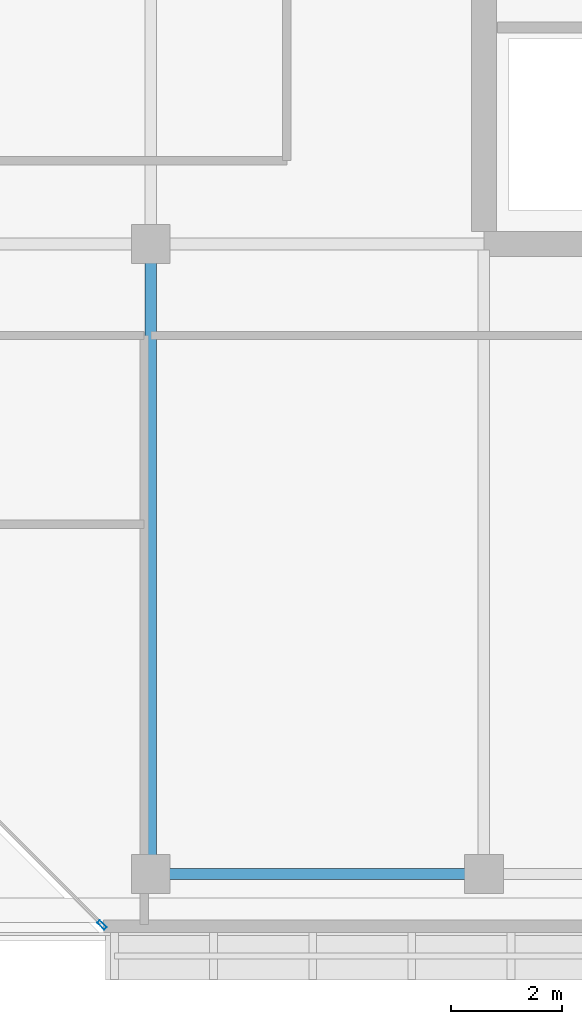
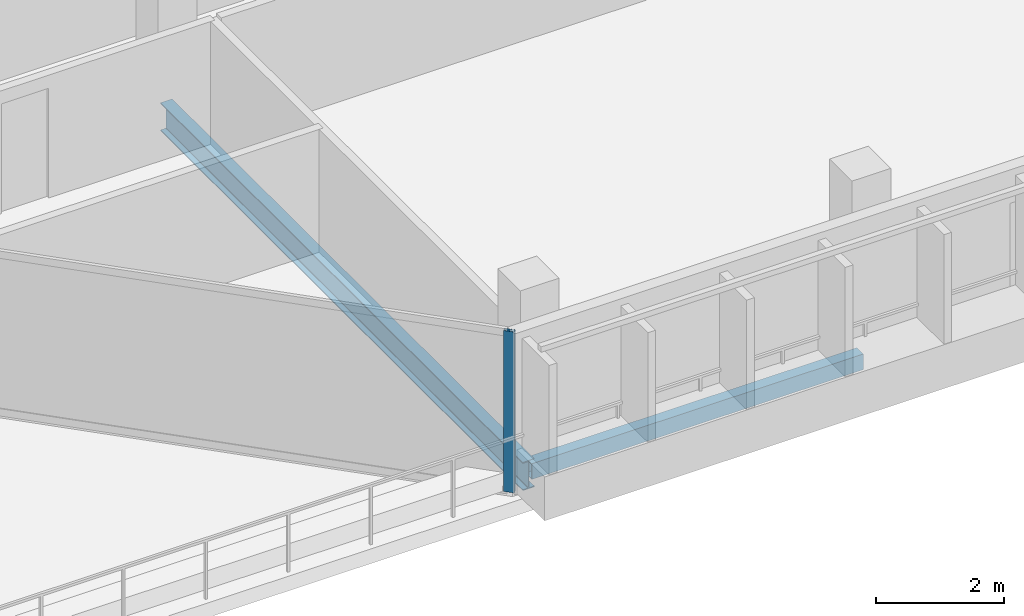
# One storey, part 10 of 30: 2 beams, 1 member, 1 element without a shape of its own.
"""IFC4 building model written with IfcOpenShell, lengths in metres."""

from ifc_helpers import new_model, si_unit, direction, frame, origin, origin_2d, place, context, subcontext, project, spatial, hollow_rectangle, i_section, extrude, material, layer, layer_set, material_profile, profile_set, type_object, element, aggregate, save


model = new_model("IFC4")

# Units and contexts
model_context = context("Model", 3, precision=1e-05, world=origin(), true_north=direction((0.0, 1.0)))
body_context = subcontext(model_context, "Body", "Model", "MODEL_VIEW")
ifc_project = project(units=[si_unit("LENGTHUNIT", "METRE"), si_unit("AREAUNIT", "SQUARE_METRE"), si_unit("VOLUMEUNIT", "CUBIC_METRE"), si_unit("PLANEANGLEUNIT", "RADIAN"), si_unit("MASSUNIT", "GRAM", prefix="KILO")], contexts=[model_context])

# Site, building, storey
site_placement = place(None, origin())
site = spatial("IfcSite", under=ifc_project, at=site_placement, CompositionType="ELEMENT")
building_placement = place(site_placement, origin())
building = spatial("IfcBuilding", under=site, at=building_placement, Name="Tanjung Sevakor Pilgrim Tower", CompositionType="ELEMENT")
storey_placement = place(building_placement, frame((0.0, 0.0, 229.35009765625)))
storey = spatial("IfcBuildingStorey", under=building, at=storey_placement, Name="L64", CompositionType="ELEMENT", Elevation=229.35009765625)

# Beams
ifc_material_1 = material(Name="Steel S355J2", Category="steel")
ifc_material_profile_1 = material_profile(ifc_material_1, i_section(OverallWidth=0.210693359375, OverallDepth=0.53955078125, WebThickness=0.01171875, FlangeThickness=0.018798828125, FilletRadius=0.0126953125, at=origin_2d()))
ifc_profile_set_1 = profile_set([ifc_material_profile_1], Name="Steel S355J2")
beam_type_1 = type_object("IfcBeamType", Name="BM-B-G6-UB_533x210x109", PredefinedType="BEAM", material=ifc_profile_set_1)
beam_1_placement = place(storey_placement, frame((72.0, 13.25, -0.5498046875), z_axis=(0.0, 1.0, 0.0), x_axis=(-1.0, 0.0, 0.0)))
element("IfcBeam", 1, at=beam_1_placement, inside=storey, type_object=beam_type_1, Name="L64 EAST Girder 002", PredefinedType="BEAM", context=body_context, shape_type="SweptSolid", body=[
    extrude(i_section(OverallWidth=0.210693359375, OverallDepth=0.53955078125, WebThickness=0.01171875, FlangeThickness=0.018798828125, FilletRadius=0.0126953125, at=origin_2d()), origin(), (0.0, 0.0, 1.0), 11.35009765625),
])
ifc_material_2 = material(Name="Steel S355J2", Category="steel")
ifc_material_profile_2 = material_profile(ifc_material_2, hollow_rectangle(XDim=0.199951171875, YDim=0.300048828125, WallThickness=0.012451171875, at=origin_2d()))
ifc_profile_set_2 = profile_set([ifc_material_profile_2], Name="Steel S355J2")
beam_type_2 = type_object("IfcBeamType", Name="BM-B-SP3-RHS_300x200x12.5", PredefinedType="SPANDREL", material=ifc_profile_set_2)
beam_2_placement = place(storey_placement, frame((72.0, 13.25, -0.43017578125), z_axis=(1.0, 0.0, 0.0), x_axis=(0.0, 1.0, 0.0)))
element("IfcBeam", 2, at=beam_2_placement, inside=storey, type_object=beam_type_2, Name="L64 Spandrel EAST S-01", PredefinedType="SPANDREL", context=body_context, shape_type="SweptSolid", body=[
    extrude(hollow_rectangle(XDim=0.199951171875, YDim=0.300048828125, WallThickness=0.012451171875, at=origin_2d()), origin(), (0.0, 0.0, 1.0), 6.0),
])

# Curtain wall, member
ifc_material_3 = material(Name="Aluminium 6063-T6 and Low-E Glass", Category="aluminium")
ifc_layer = layer(ifc_material_3, 0.179931640625)
ifc_layer_set = layer_set([ifc_layer], Name="CW-SYS-CHAM")
curtain_wall_type = type_object("IfcCurtainWallType", Name="CW-SYS-CHAM", PredefinedType="NOTDEFINED", material=ifc_layer_set)
curtain_wall_placement = place(storey_placement, origin())
curtain_wall = element("IfcCurtainWall", 3, at=curtain_wall_placement, inside=storey, type_object=curtain_wall_type, Name="L64 Curtain Wall CW-CHM-L64-EAST-7", PredefinedType="NOTDEFINED")
ifc_material_4 = material(Name="Aluminium 6063-T6", Category="aluminium")
ifc_material_profile_3 = material_profile(ifc_material_4, hollow_rectangle(XDim=0.06494140625, YDim=0.179931640625, WallThickness=0.00390625, at=origin_2d()))
ifc_profile_set_3 = profile_set([ifc_material_profile_3], Name="Aluminium 6063-T6")
member_type = type_object("IfcMemberType", Name="TYPE-CWM-1", PredefinedType="MULLION", material=ifc_profile_set_3)
member_placement = place(storey_placement, frame((71.12255859375, 12.3330078125, 0.0), z_axis=(0.0, 0.0, 1.0), x_axis=(0.707106781187, 0.707106781187, 0.0)))
member = element("IfcMember", 4, at=member_placement, type_object=member_type, Name="CW-CHM mullion 2", PredefinedType="MULLION", context=body_context, shape_type="SweptSolid", body=[
    extrude(hollow_rectangle(XDim=0.06494140625, YDim=0.179931640625, WallThickness=0.00390625, at=origin_2d()), origin(), (0.0, 0.0, 1.0), 3.079833984375),
])
aggregate(curtain_wall, [member])

save(model, "model.ifc")
